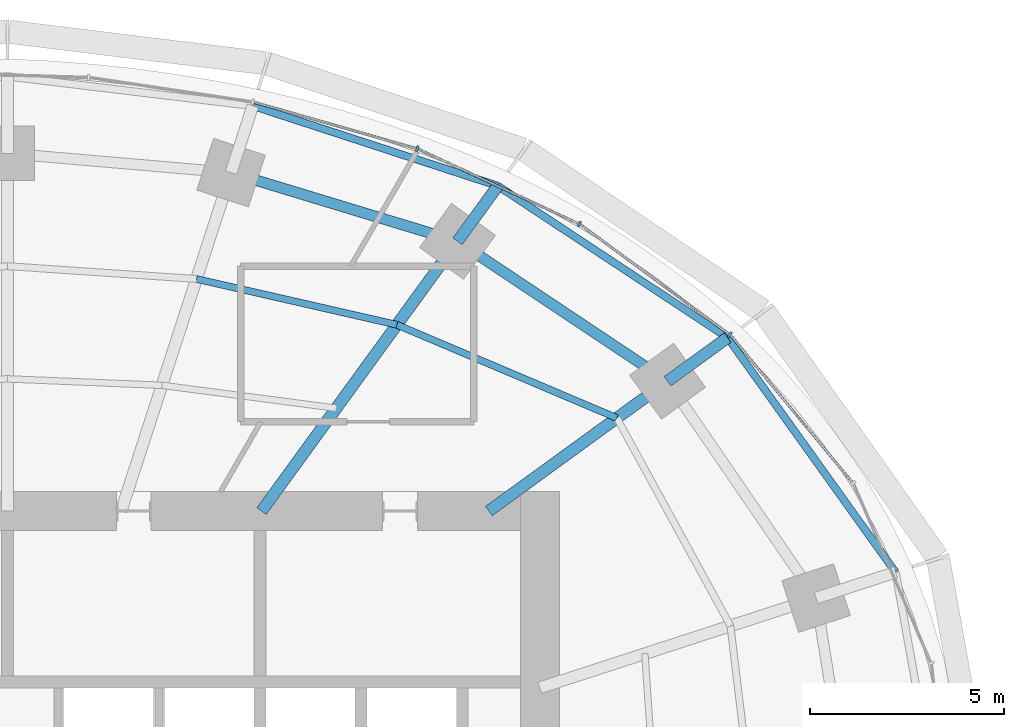
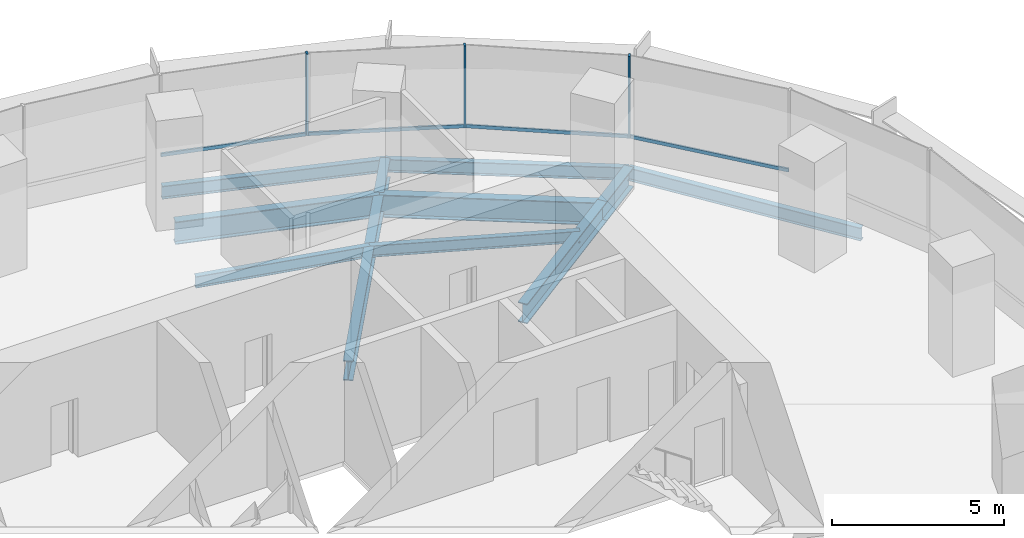
# One storey, part 8 of 14: 11 beams, 7 members, 2 elements without a shape of their own.
"""IFC4 building model written with IfcOpenShell, lengths in metres."""

from ifc_helpers import new_model, si_unit, direction, frame, origin, origin_2d, place, context, subcontext, project, spatial, rectangle, i_section, extrude, material, material_profile, profile_set, type_object, element, aggregate, save


model = new_model("IFC4")

# Units and contexts
model_context = context("Model", 3, precision=1e-05, world=origin(), true_north=direction((0.0, 1.0)))
body_context = subcontext(model_context, "Body", "Model", "MODEL_VIEW")
ifc_project = project(units=[si_unit("LENGTHUNIT", "METRE"), si_unit("AREAUNIT", "SQUARE_METRE"), si_unit("VOLUMEUNIT", "CUBIC_METRE"), si_unit("PLANEANGLEUNIT", "RADIAN"), si_unit("MASSUNIT", "GRAM", prefix="KILO")], contexts=[model_context])

# Site, building, storey
site_placement = place(None, origin())
site = spatial("IfcSite", under=ifc_project, at=site_placement, CompositionType="ELEMENT")
building_placement = place(site_placement, origin())
building = spatial("IfcBuilding", under=site, at=building_placement, Name="Marramba Exchange Tower", CompositionType="ELEMENT")
storey_placement = place(building_placement, frame((0.0, 0.0, 242.300048828125)))
storey = spatial("IfcBuildingStorey", under=building, at=storey_placement, Name="L59", CompositionType="ELEMENT", Elevation=242.300048828125)

# Beams
ifc_material_1 = material(Name="Steel AS/NZS 3679.2 grade 300", Category="steel")
ifc_material_profile_1 = material_profile(ifc_material_1, i_section(OverallWidth=0.300048828125, OverallDepth=0.699951171875, WebThickness=0.010009765625, FlangeThickness=0.031982421875, at=origin_2d()), Name="700WB173")
ifc_profile_set_1 = profile_set([ifc_material_profile_1], Name="Steel AS/NZS 3679.2 grade 300")
beam_type_1 = type_object("IfcBeamType", Name="Cantilever girder 700WB173", PredefinedType="BEAM", material=ifc_profile_set_1)
beam_1_placement = place(storey_placement, frame((16.98583984375, 12.3408203125, -0.510009765625), z_axis=(0.808962750283, 0.587859905636, 0.0), x_axis=(-0.587859905636, 0.808962750283, 0.0)))
element("IfcBeam", 1, at=beam_1_placement, inside=storey, type_object=beam_type_1, Name="Cantilever girder L59 TC03", PredefinedType="BEAM", context=body_context, shape_type="SweptSolid", body=[
    extrude(i_section(OverallWidth=0.300048828125, OverallDepth=0.699951171875, WebThickness=0.010009765625, FlangeThickness=0.031982421875, at=origin_2d()), origin(), (0.0, 0.0, 1.0), 1.9091796875),
])
beam_2_placement = place(storey_placement, frame((11.581298828125, 15.9404296875, -0.510009765625), z_axis=(0.587817766387, 0.808993370504, 0.0), x_axis=(-0.808993370504, 0.587817766387, 0.0)))
element("IfcBeam", 2, at=beam_2_placement, inside=storey, type_object=beam_type_1, Name="Cantilever girder L59 TC04", PredefinedType="BEAM", context=body_context, shape_type="SweptSolid", body=[
    extrude(i_section(OverallWidth=0.300048828125, OverallDepth=0.699951171875, WebThickness=0.010009765625, FlangeThickness=0.031982421875, at=origin_2d()), origin(), (0.0, 0.0, 1.0), 1.763916015625),
])
ifc_material_2 = material(Name="Steel AS/NZS 3679.1 grade 300", Category="steel")
ifc_material_profile_2 = material_profile(ifc_material_2, i_section(OverallWidth=0.177978515625, OverallDepth=0.406005859375, WebThickness=0.0078125, FlangeThickness=0.0126953125, FilletRadius=0.011474609375, at=origin_2d()), Name="410UB59.7")
ifc_profile_set_2 = profile_set([ifc_material_profile_2], Name="Steel AS/NZS 3679.1 grade 300")
beam_type_2 = type_object("IfcBeamType", Name="Floor joist 410UB59.7", PredefinedType="JOIST", material=ifc_profile_set_2)
beam_3_placement = place(storey_placement, frame((15.682373046875, 11.393798828125, -0.363037109375), z_axis=(-0.920674336375, 0.390331610738, 0.0), x_axis=(-0.390331610738, -0.920674336375, 0.0)))
element("IfcBeam", 3, at=beam_3_placement, inside=storey, type_object=beam_type_2, Name="Joist L59 bay 03 row 2", PredefinedType="JOIST", context=body_context, shape_type="SweptSolid", body=[
    extrude(i_section(OverallWidth=0.177978515625, OverallDepth=0.406005859375, WebThickness=0.0078125, FlangeThickness=0.0126953125, FilletRadius=0.011474609375, at=origin_2d()), origin(), (0.0, 0.0, 1.0), 6.1484375),
])
beam_4_placement = place(storey_placement, frame((10.021728515625, 13.793701171875, -0.363037109375), z_axis=(-0.974859652292, 0.222819788916, 0.0), x_axis=(-0.222819788916, -0.974859652292, 0.0)))
element("IfcBeam", 4, at=beam_4_placement, inside=storey, type_object=beam_type_2, Name="Joist L59 bay 04 row 2", PredefinedType="JOIST", context=body_context, shape_type="SweptSolid", body=[
    extrude(i_section(OverallWidth=0.177978515625, OverallDepth=0.406005859375, WebThickness=0.0078125, FlangeThickness=0.0126953125, FilletRadius=0.011474609375, at=origin_2d()), origin(), (0.0, 0.0, 1.0), 5.2900390625),
])

# Curtain wall, members
ifc_material_3 = material(Name="Aluminium framing, bronze anodised", Category="aluminium")
curtain_wall_type = type_object("IfcCurtainWallType", Name="Office ribbon curtain wall", PredefinedType="USERDEFINED", material=ifc_material_3)
curtain_wall_1_placement = place(storey_placement, origin())
curtain_wall_1 = element("IfcCurtainWall", 5, at=curtain_wall_1_placement, inside=storey, type_object=curtain_wall_type, Name="Curtain wall CW4 L59 F01-F05", ObjectType="RIBBON CURTAIN WALL", PredefinedType="USERDEFINED")
ifc_material_4 = material(Name="Aluminium mullion, bronze anodised", Category="aluminium")
ifc_material_profile_3 = material_profile(ifc_material_4, rectangle(XDim=0.159912109375, YDim=0.06005859375, at=origin_2d()), Name="CW4 mullion 60x160")
ifc_profile_set_3 = profile_set([ifc_material_profile_3], Name="Aluminium mullion, bronze anodised")
member_type_1 = type_object("IfcMemberType", Name="Office ribbon curtain wall mullion", PredefinedType="MULLION", material=ifc_profile_set_3)
member_1_placement = place(storey_placement, frame((18.587158203125, 13.53955078125, 0.800048828125), z_axis=(0.0, 0.0, 1.0), x_axis=(-0.593441317494, -0.804877259395, 0.0)))
member_1 = element("IfcMember", 6, at=member_1_placement, type_object=member_type_1, Name="CW4 mullion 1", PredefinedType="MULLION", context=body_context, shape_type="SweptSolid", body=[
    extrude(rectangle(XDim=0.159912109375, YDim=0.06005859375, at=origin_2d()), origin(), (0.0, 0.0, 1.0), 2.89990234375),
])
member_2_placement = place(storey_placement, frame((14.7158203125, 16.386474609375, 0.800048828125), z_axis=(0.0, 0.0, 1.0), x_axis=(-0.422133006189, -0.906533907301, 0.0)))
member_2 = element("IfcMember", 7, at=member_2_placement, type_object=member_type_1, Name="CW4 mullion 1", PredefinedType="MULLION", context=body_context, shape_type="SweptSolid", body=[
    extrude(rectangle(XDim=0.159912109375, YDim=0.06005859375, at=origin_2d()), origin(), (0.0, 0.0, 1.0), 2.89990234375),
])

# Curtain wall, member
curtain_wall_2_placement = place(storey_placement, origin())
curtain_wall_2 = element("IfcCurtainWall", 8, at=curtain_wall_2_placement, inside=storey, type_object=curtain_wall_type, Name="Curtain wall CW4 L59 F06-F10", ObjectType="RIBBON CURTAIN WALL", PredefinedType="USERDEFINED")
member_3_placement = place(storey_placement, frame((10.54541015625, 18.3232421875, 0.800048828125), z_axis=(0.0, 0.0, 1.0), x_axis=(-0.274248164656, -0.961658954195, 0.0)))
member_3 = element("IfcMember", 9, at=member_3_placement, type_object=member_type_1, Name="CW4 mullion 1", PredefinedType="MULLION", context=body_context, shape_type="SweptSolid", body=[
    extrude(rectangle(XDim=0.159912109375, YDim=0.06005859375, at=origin_2d()), origin(), (0.0, 0.0, 1.0), 2.89990234375),
])

# Member
ifc_material_5 = material(Name="Aluminium transom, bronze anodised", Category="aluminium")
ifc_material_profile_4 = material_profile(ifc_material_5, rectangle(XDim=0.06005859375, YDim=0.1201171875, at=origin_2d()), Name="CW4 transom 60x120")
ifc_profile_set_4 = profile_set([ifc_material_profile_4], Name="Aluminium transom, bronze anodised")
member_type_2 = type_object("IfcMemberType", Name="Office ribbon curtain wall transom", PredefinedType="USERDEFINED", material=ifc_profile_set_4)
member_4_placement = place(storey_placement, frame((21.73779296875, 9.74169921875, 0.829833984375), z_axis=(-0.637375191043, 0.770553609973, 0.0), x_axis=(-0.770553609973, -0.637375191043, 0.0)))
member_4 = element("IfcMember", 10, at=member_4_placement, type_object=member_type_2, Name="CW4 sill transom", ObjectType="TRANSOM", PredefinedType="USERDEFINED", context=body_context, shape_type="SweptSolid", body=[
    extrude(rectangle(XDim=0.06005859375, YDim=0.1201171875, at=origin_2d()), origin(), (0.0, 0.0, 1.0), 4.905517578125),
])

member_5_placement = place(storey_placement, frame((18.56298828125, 13.557373046875, 0.829833984375), z_axis=(-0.804874780157, 0.593444680039, 0.0), x_axis=(-0.593444680039, -0.804874780157, 0.0)))
member_5 = element("IfcMember", 11, at=member_5_placement, type_object=member_type_2, Name="CW4 sill transom", ObjectType="TRANSOM", PredefinedType="USERDEFINED", context=body_context, shape_type="SweptSolid", body=[
    extrude(rectangle(XDim=0.06005859375, YDim=0.1201171875, at=origin_2d()), origin(), (0.0, 0.0, 1.0), 4.745849609375),
])

member_6_placement = place(storey_placement, frame((14.688720703125, 16.399169921875, 0.829833984375), z_axis=(-0.906548348139, 0.422101992989, 0.0), x_axis=(-0.422101992989, -0.906548348139, 0.0)))
member_6 = element("IfcMember", 12, at=member_6_placement, type_object=member_type_2, Name="CW4 sill transom", ObjectType="TRANSOM", PredefinedType="USERDEFINED", context=body_context, shape_type="SweptSolid", body=[
    extrude(rectangle(XDim=0.06005859375, YDim=0.1201171875, at=origin_2d()), origin(), (0.0, 0.0, 1.0), 4.53857421875),
])

aggregate(curtain_wall_1, [member_4, member_1, member_5, member_2, member_6])

member_7_placement = place(storey_placement, frame((10.5166015625, 18.33154296875, 0.829833984375), z_axis=(-0.961661807825, 0.274238158125, 0.0), x_axis=(-0.274238158125, -0.961661807825, 0.0)))
member_7 = element("IfcMember", 13, at=member_7_placement, type_object=member_type_2, Name="CW4 sill transom", ObjectType="TRANSOM", PredefinedType="USERDEFINED", context=body_context, shape_type="SweptSolid", body=[
    extrude(rectangle(XDim=0.06005859375, YDim=0.1201171875, at=origin_2d()), origin(), (0.0, 0.0, 1.0), 4.340087890625),
])

aggregate(curtain_wall_2, [member_3, member_7])

# Beams
ifc_material_profile_5 = material_profile(ifc_material_1, i_section(OverallWidth=0.300048828125, OverallDepth=0.699951171875, WebThickness=0.010009765625, FlangeThickness=0.031982421875, at=origin_2d()), Name="700WB173")
ifc_profile_set_5 = profile_set([ifc_material_profile_5], Name="Steel AS/NZS 3679.2 grade 300")
beam_type_3 = type_object("IfcBeamType", Name="Radial girder 700WB173", PredefinedType="BEAM", material=ifc_profile_set_5)
beam_5_placement = place(storey_placement, frame((12.387451171875, 9.0, -0.510009765625), z_axis=(0.809025746925, 0.587773205252, 0.0), x_axis=(-0.587773205252, 0.809025746925, 0.0)))
element("IfcBeam", 14, at=beam_5_placement, inside=storey, type_object=beam_type_3, Name="Radial girder L59 TC03", PredefinedType="BEAM", context=body_context, shape_type="SweptSolid", body=[
    extrude(i_section(OverallWidth=0.300048828125, OverallDepth=0.699951171875, WebThickness=0.010009765625, FlangeThickness=0.031982421875, at=origin_2d()), origin(), (0.0, 0.0, 1.0), 5.683837890625),
])
beam_6_placement = place(storey_placement, frame((6.538818359375, 9.0, -0.510009765625), z_axis=(0.587782439969, 0.80901903764, 0.0), x_axis=(-0.80901903764, 0.587782439969, 0.0)))
element("IfcBeam", 15, at=beam_6_placement, inside=storey, type_object=beam_type_3, Name="Radial girder L59 TC04", PredefinedType="BEAM", context=body_context, shape_type="SweptSolid", body=[
    extrude(i_section(OverallWidth=0.300048828125, OverallDepth=0.699951171875, WebThickness=0.010009765625, FlangeThickness=0.031982421875, at=origin_2d()), origin(), (0.0, 0.0, 1.0), 8.578857421875),
])
ifc_material_profile_6 = material_profile(ifc_material_1, i_section(OverallWidth=0.27490234375, OverallDepth=0.800048828125, WebThickness=0.010009765625, FlangeThickness=0.02490234375, at=origin_2d()), Name="800WB168")
ifc_profile_set_6 = profile_set([ifc_material_profile_6], Name="Steel AS/NZS 3679.2 grade 300")
beam_type_4 = type_object("IfcBeamType", Name="Ring beam 800WB168", PredefinedType="SPANDREL", material=ifc_profile_set_6)
beam_7_placement = place(storey_placement, frame((16.98583984375, 12.3408203125, -0.56005859375), z_axis=(-0.832293151443, 0.554335737673, 0.0), x_axis=(-0.554335737673, -0.832293151443, 0.0)))
element("IfcBeam", 16, at=beam_7_placement, inside=storey, type_object=beam_type_4, Name="Ring beam L59 TC03-TC04", PredefinedType="SPANDREL", context=body_context, shape_type="SweptSolid", body=[
    extrude(i_section(OverallWidth=0.27490234375, OverallDepth=0.800048828125, WebThickness=0.010009765625, FlangeThickness=0.02490234375, at=origin_2d()), origin(), (0.0, 0.0, 1.0), 6.49365234375),
])
beam_8_placement = place(storey_placement, frame((11.581298828125, 15.9404296875, -0.56005859375), z_axis=(-0.956924542524, 0.290336735387, 0.0), x_axis=(-0.290336735387, -0.956924542524, 0.0)))
element("IfcBeam", 17, at=beam_8_placement, inside=storey, type_object=beam_type_4, Name="Ring beam L59 TC04-TC05", PredefinedType="SPANDREL", context=body_context, shape_type="SweptSolid", body=[
    extrude(i_section(OverallWidth=0.27490234375, OverallDepth=0.800048828125, WebThickness=0.010009765625, FlangeThickness=0.02490234375, at=origin_2d()), origin(), (0.0, 0.0, 1.0), 6.089599609375),
])
ifc_material_profile_7 = material_profile(ifc_material_2, i_section(OverallWidth=0.19091796875, OverallDepth=0.4599609375, WebThickness=0.010009765625, FlangeThickness=0.01611328125, FilletRadius=0.011474609375, at=origin_2d()), Name="460UB82.1")
ifc_profile_set_7 = profile_set([ifc_material_profile_7], Name="Steel AS/NZS 3679.1 grade 300")
beam_type_5 = type_object("IfcBeamType", Name="Slab edge beam 460UB82.1", PredefinedType="SPANDREL", material=ifc_profile_set_7)
beam_9_placement = place(storey_placement, frame((22.853515625, 7.425537109375, -0.39013671875), z_axis=(-0.582189457885, 0.813053156398, 0.0), x_axis=(-0.813053156398, -0.582189457885, 0.0)))
element("IfcBeam", 18, at=beam_9_placement, inside=storey, type_object=beam_type_5, Name="Slab edge beam L59 TC02-TC03", PredefinedType="SPANDREL", context=body_context, shape_type="SweptSolid", body=[
    extrude(i_section(OverallWidth=0.19091796875, OverallDepth=0.4599609375, WebThickness=0.010009765625, FlangeThickness=0.01611328125, FilletRadius=0.011474609375, at=origin_2d()), origin(), (0.0, 0.0, 1.0), 7.42578125),
])
beam_10_placement = place(storey_placement, frame((18.5302734375, 13.463134765625, -0.39013671875), z_axis=(-0.834459826117, 0.551068778463, 0.0), x_axis=(-0.551068778463, -0.834459826117, 0.0)))
element("IfcBeam", 19, at=beam_10_placement, inside=storey, type_object=beam_type_5, Name="Slab edge beam L59 TC03-TC04", PredefinedType="SPANDREL", context=body_context, shape_type="SweptSolid", body=[
    extrude(i_section(OverallWidth=0.19091796875, OverallDepth=0.4599609375, WebThickness=0.010009765625, FlangeThickness=0.01611328125, FilletRadius=0.011474609375, at=origin_2d()), origin(), (0.0, 0.0, 1.0), 7.0849609375),
])
beam_11_placement = place(storey_placement, frame((12.6181640625, 17.367431640625, -0.39013671875), z_axis=(-0.950608559101, 0.310392279809, 0.0), x_axis=(-0.310392279809, -0.950608559101, 0.0)))
element("IfcBeam", 20, at=beam_11_placement, inside=storey, type_object=beam_type_5, Name="Slab edge beam L59 TC04-TC05", PredefinedType="SPANDREL", context=body_context, shape_type="SweptSolid", body=[
    extrude(i_section(OverallWidth=0.19091796875, OverallDepth=0.4599609375, WebThickness=0.010009765625, FlangeThickness=0.01611328125, FilletRadius=0.011474609375, at=origin_2d()), origin(), (0.0, 0.0, 1.0), 6.6337890625),
])

save(model, "model.ifc")
